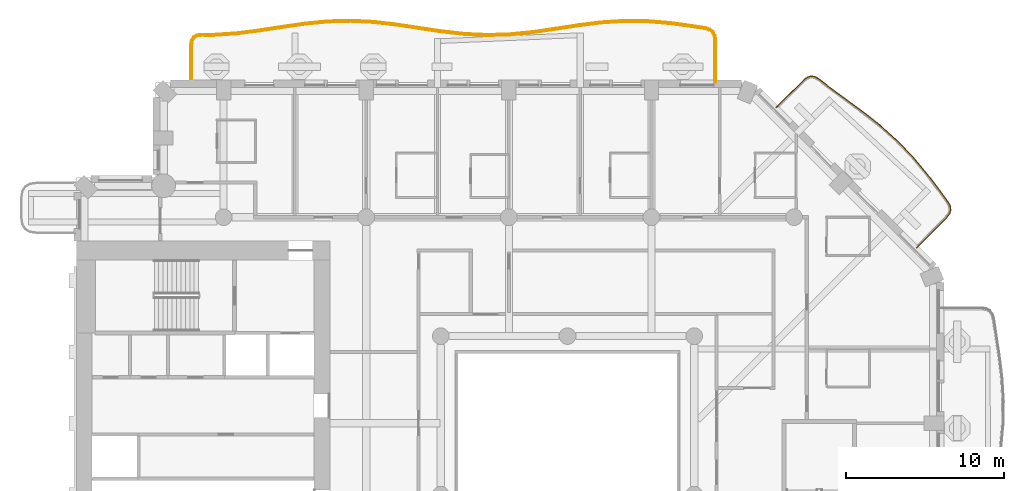
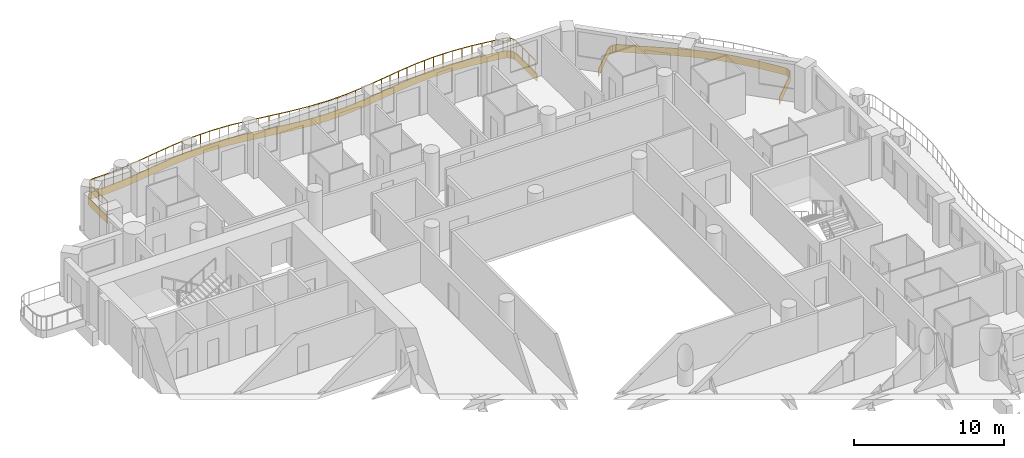
# One storey, part 18 of 20: 2 coverings, 1 railing.
"""IFC4 building model written with IfcOpenShell, lengths in metres."""

from ifc_helpers import new_model, si_unit, direction, frame, origin, origin_2d, place, context, subcontext, project, spatial, polyline, rectangle, outline, extrude, material, layer, layer_set, type_object, element, save


model = new_model("IFC4")

# Units and contexts
model_context = context("Model", 3, precision=1e-05, world=origin(), true_north=direction((0.0, 1.0)))
body_context = subcontext(model_context, "Body", "Model", "MODEL_VIEW")
ifc_project = project(units=[si_unit("LENGTHUNIT", "METRE"), si_unit("AREAUNIT", "SQUARE_METRE"), si_unit("VOLUMEUNIT", "CUBIC_METRE"), si_unit("PLANEANGLEUNIT", "RADIAN"), si_unit("MASSUNIT", "GRAM", prefix="KILO")], contexts=[model_context])

# Site, building, storey
site_placement = place(None, origin())
site = spatial("IfcSite", under=ifc_project, at=site_placement, CompositionType="ELEMENT")
building_placement = place(site_placement, origin())
building = spatial("IfcBuilding", under=site, at=building_placement, Name="Cypress Arch Tower", CompositionType="ELEMENT")
storey_placement = place(building_placement, frame((0.0, 0.0, 113.10009765625)))
storey = spatial("IfcBuildingStorey", under=building, at=storey_placement, Name="L23", CompositionType="ELEMENT", Elevation=113.10009765625)

# Coverings
ifc_material_1 = material(Name="White powder-coated aluminium fascia", Category="aluminium")
ifc_layer = layer(ifc_material_1, 0.050048828125)
ifc_layer_set = layer_set([ifc_layer], Name="Balcony fascia BF50")
covering_type = type_object("IfcCoveringType", Name="Balcony fascia BF50", PredefinedType="CLADDING", material=ifc_layer_set)
covering_1_placement = place(storey_placement, frame((0.0, 0.0, -0.60009765625)))
element("IfcCovering", 1, at=covering_1_placement, inside=storey, type_object=covering_type, Name="Balcony fascia L23-A07", PredefinedType="CLADDING", context=body_context, shape_type="SweptSolid", body=[
    extrude(outline(polyline([(15.894775390625, 26.18359375), (16.130126953125, 26.361328125), (16.381103515625, 26.4326171875), (16.638427734375, 26.39111328125), (16.89306640625, 26.242431640625), (17.49755859375, 25.765625), (18.62548828125, 24.934814453125), (19.753173828125, 24.101806640625), (20.84716796875, 23.232666015625), (21.880859375, 22.302001953125), (22.841796875, 21.298583984375), (23.734375, 20.2275390625), (24.578857421875, 19.110107421875), (25.0361328125, 18.484375), (25.17724609375, 18.222412109375), (25.21240234375, 17.9599609375), (25.13720703125, 17.7060546875), (24.957763671875, 17.468994140625), (23.045166015625, 15.556396484375), (23.009765625, 15.591796875), (24.919921875, 17.501953125), (25.091796875, 17.72900390625), (25.16162109375, 17.9638671875), (25.12890625, 18.206787109375), (24.993896484375, 18.45751953125), (24.538818359375, 19.080322265625), (23.6953125, 20.1962890625), (22.804443359375, 21.26513671875), (21.845947265625, 22.26611328125), (20.814697265625, 23.194580078125), (19.722900390625, 24.06201171875), (18.595703125, 24.89453125), (17.46728515625, 25.725830078125), (16.86474609375, 26.200927734375), (16.621337890625, 26.34326171875), (16.384033203125, 26.381591796875), (16.15283203125, 26.315673828125), (15.927734375, 26.145751953125), (14.191650390625, 24.40966796875), (14.15625, 24.445068359375), (15.894775390625, 26.18359375)])), origin(), (0.0, 0.0, 1.0), 0.60009765625),
])
covering_2_placement = place(storey_placement, frame((0.0, 0.0, -0.60009765625)))
element("IfcCovering", 2, at=covering_2_placement, inside=storey, type_object=covering_type, Name="Balcony fascia L23-A08", PredefinedType="CLADDING", context=body_context, shape_type="SweptSolid", body=[
    extrude(outline(polyline([(-22.800048828125, 28.37548828125), (-22.757568359375, 28.672119140625), (-22.62451171875, 28.893310546875), (-22.402587890625, 29.02490234375), (-22.105712890625, 29.065185546875), (-21.3125, 29.0595703125), (-19.876708984375, 29.157958984375), (-18.439697265625, 29.3408203125), (-17.000732421875, 29.56298828125), (-15.560302734375, 29.77001953125), (-14.118408203125, 29.91015625), (-12.675537109375, 29.94873046875), (-11.23291015625, 29.876220703125), (-9.791259765625, 29.71044921875), (-8.351318359375, 29.492919921875), (-6.9130859375, 29.27734375), (-5.4765625, 29.11669921875), (-4.041015625, 29.050537109375), (-2.60546875, 29.09521484375), (-1.169189453125, 29.23974609375), (0.268798828125, 29.44873046875), (1.708251953125, 29.67041015625), (3.149658203125, 29.849853515625), (4.592041015625, 29.943115234375), (6.034912109375, 29.92626953125), (7.477294921875, 29.80419921875), (8.918212890625, 29.606689453125), (9.71337890625, 29.483154296875), (10.0087890625, 29.39453125), (10.22705078125, 29.22802734375), (10.35791015625, 28.987060546875), (10.39990234375, 28.681640625), (10.39990234375, 26.0009765625), (10.35009765625, 26.0009765625), (10.35009765625, 28.67822265625), (10.3095703125, 28.97119140625), (10.18798828125, 29.19482421875), (9.98583984375, 29.34912109375), (9.702392578125, 29.43408203125), (8.910888671875, 29.55712890625), (7.4716796875, 29.75439453125), (6.03271484375, 29.87646484375), (4.593505859375, 29.89306640625), (3.154296875, 29.800048828125), (1.71533203125, 29.620849609375), (0.276123046875, 29.399169921875), (-1.1630859375, 29.190185546875), (-2.602294921875, 29.04541015625), (-4.041259765625, 29.00048828125), (-5.48046875, 29.066650390625), (-6.919677734375, 29.227783203125), (-8.358642578125, 29.443603515625), (-9.7978515625, 29.660888671875), (-11.237060546875, 29.826171875), (-12.676025390625, 29.898681640625), (-14.115234375, 29.860107421875), (-15.554443359375, 29.72021484375), (-16.993408203125, 29.513671875), (-18.4326171875, 29.291259765625), (-19.871826171875, 29.108154296875), (-21.310791015625, 29.009521484375), (-22.102294921875, 29.01513671875), (-22.3857421875, 28.9765625), (-22.588134765625, 28.856689453125), (-22.70947265625, 28.655029296875), (-22.75, 28.3720703125), (-22.75, 26.0009765625), (-22.800048828125, 26.0009765625), (-22.800048828125, 28.37548828125)])), origin(), (0.0, 0.0, 1.0), 0.60009765625),
])

# Railing
ifc_material_2 = material(Name="Powder-coated steel posts and rods, 100 mm clear between rods", Category="steel")
railing_type = type_object("IfcRailingType", Name="Balcony guard GR1100", PredefinedType="GUARDRAIL", material=ifc_material_2)
railing_placement = place(storey_placement, frame((-22.699951171875, 26.14990234375, 0.0)))
element("IfcRailing", 3, at=railing_placement, inside=storey, type_object=railing_type, Name="Balcony guard L23-A08", PredefinedType="GUARDRAIL", context=body_context, shape_type="SweptSolid", body=[
    extrude(rectangle(XDim=0.050048828125, YDim=0.050048828125, at=origin_2d()), frame((0.0, 0.0, 1.0751953125), z_axis=(0.0, 1.0, 0.0), x_axis=(-1.0, 0.0, 0.0)), (0.0, 0.0, 1.0), 2.218505859375),
    extrude(rectangle(XDim=0.050048828125, YDim=0.050048828125, at=origin_2d()), frame((0.0, 2.218505859375, 1.0751953125), z_axis=(0.141672416732, 0.98991359539, 0.0), x_axis=(-0.98991359539, 0.141672416732, 0.0)), (0.0, 0.0, 1.0), 0.272216796875),
    extrude(rectangle(XDim=0.050048828125, YDim=0.050048828125, at=origin_2d()), frame((0.03857421875, 2.488037109375, 1.0751953125), z_axis=(0.515677548215, 0.856782741578, 0.0), x_axis=(-0.856782741578, 0.515677548215, 0.0)), (0.0, 0.0, 1.0), 0.212646484375),
    extrude(rectangle(XDim=0.050048828125, YDim=0.050048828125, at=origin_2d()), frame((0.148193359375, 2.670166015625, 1.0751953125), z_axis=(0.8602169019, 0.509928310339, 0.0), x_axis=(-0.509928310339, 0.8602169019, 0.0)), (0.0, 0.0, 1.0), 0.212646484375),
    extrude(rectangle(XDim=0.050048828125, YDim=0.050048828125, at=origin_2d()), frame((0.3310546875, 2.778564453125, 1.0751953125), z_axis=(0.990911839924, 0.134512919447, 0.0), x_axis=(-0.134512919447, 0.990911839924, 0.0)), (0.0, 0.0, 1.0), 0.272216796875),
    extrude(rectangle(XDim=0.050048828125, YDim=0.050048828125, at=origin_2d()), frame((0.600830078125, 2.815185546875, 1.0751953125), z_axis=(0.999974726776, -0.007109557563, 0.0), x_axis=(0.007109557563, 0.999974726776, 0.0)), (0.0, 0.0, 1.0), 0.789794921875),
    extrude(rectangle(XDim=0.050048828125, YDim=0.050048828125, at=origin_2d()), frame((1.390625, 2.8095703125, 1.0751953125), z_axis=(0.997658621, 0.068390612983, 0.0), x_axis=(-0.068390612983, 0.997658621, 0.0)), (0.0, 0.0, 1.0), 1.44580078125),
    extrude(rectangle(XDim=0.050048828125, YDim=0.050048828125, at=origin_2d()), frame((2.8330078125, 2.908447265625, 1.0751953125), z_axis=(0.992006709468, 0.1261851353, 0.0), x_axis=(-0.1261851353, 0.992006709468, 0.0)), (0.0, 0.0, 1.0), 1.453125),
    extrude(rectangle(XDim=0.050048828125, YDim=0.050048828125, at=origin_2d()), frame((4.2744140625, 3.091796875, 1.0751953125), z_axis=(0.988272662411, 0.152699524331, 0.0), x_axis=(-0.152699524331, 0.988272662411, 0.0)), (0.0, 0.0, 1.0), 1.45654296875),
    extrude(rectangle(XDim=0.050048828125, YDim=0.050048828125, at=origin_2d()), frame((5.7138671875, 3.314208984375, 1.0751953125), z_axis=(0.989838254596, 0.142197854201, 0.0), x_axis=(-0.142197854201, 0.989838254596, 0.0)), (0.0, 0.0, 1.0), 1.452392578125),
    extrude(rectangle(XDim=0.050048828125, YDim=0.050048828125, at=origin_2d()), frame((7.151611328125, 3.520751953125, 1.0751953125), z_axis=(0.99530648281, 0.096772957363, 0.0), x_axis=(-0.096772957363, 0.99530648281, 0.0)), (0.0, 0.0, 1.0), 1.443115234375),
    extrude(rectangle(XDim=0.050048828125, YDim=0.050048828125, at=origin_2d()), frame((8.587890625, 3.660400390625, 1.0751953125), z_axis=(0.999643606175, 0.0266957044, 0.0), x_axis=(-0.0266957044, 0.999643606175, 0.0)), (0.0, 0.0, 1.0), 1.435791015625),
    extrude(rectangle(XDim=0.050048828125, YDim=0.050048828125, at=origin_2d()), frame((10.023193359375, 3.69873046875, 1.0751953125), z_axis=(0.998735767688, -0.050267945458, 0.0), x_axis=(0.050267945458, 0.998735767688, 0.0)), (0.0, 0.0, 1.0), 1.4375),
    extrude(rectangle(XDim=0.050048828125, YDim=0.050048828125, at=origin_2d()), frame((11.458984375, 3.62646484375, 1.0751953125), z_axis=(0.993465014905, -0.114137041141, 0.0), x_axis=(0.114137041141, 0.993465014905, 0.0)), (0.0, 0.0, 1.0), 1.446044921875),
    extrude(rectangle(XDim=0.050048828125, YDim=0.050048828125, at=origin_2d()), frame((12.8955078125, 3.46142578125, 1.0751953125), z_axis=(0.988779448417, -0.149382737921, 0.0), x_axis=(0.149382737921, 0.988779448417, 0.0)), (0.0, 0.0, 1.0), 1.45458984375),
    extrude(rectangle(XDim=0.050048828125, YDim=0.050048828125, at=origin_2d()), frame((14.333740234375, 3.244140625, 1.0751953125), z_axis=(0.988932663572, -0.148365046154, 0.0), x_axis=(0.148365046154, 0.988932663572, 0.0)), (0.0, 0.0, 1.0), 1.456298828125),
    extrude(rectangle(XDim=0.050048828125, YDim=0.050048828125, at=origin_2d()), frame((15.77392578125, 3.028076171875, 1.0751953125), z_axis=(0.993811689015, -0.111078021126, 0.0), x_axis=(0.111078021126, 0.993811689015, 0.0)), (0.0, 0.0, 1.0), 1.45068359375),
    extrude(rectangle(XDim=0.050048828125, YDim=0.050048828125, at=origin_2d()), frame((17.215576171875, 2.866943359375, 1.0751953125), z_axis=(0.998942232223, -0.045982786794, 0.0), x_axis=(0.045982786794, 0.998942232223, 0.0)), (0.0, 0.0, 1.0), 1.444091796875),
    extrude(rectangle(XDim=0.050048828125, YDim=0.050048828125, at=origin_2d()), frame((18.658203125, 2.800537109375, 1.0751953125), z_axis=(0.99951569929, 0.031118593683, 0.0), x_axis=(-0.031118593683, 0.99951569929, 0.0)), (0.0, 0.0, 1.0), 1.443603515625),
    extrude(rectangle(XDim=0.050048828125, YDim=0.050048828125, at=origin_2d()), frame((20.10107421875, 2.845458984375, 1.0751953125), z_axis=(0.994963528178, 0.1002376057, 0.0), x_axis=(-0.1002376057, 0.994963528178, 0.0)), (0.0, 0.0, 1.0), 1.44921875),
    extrude(rectangle(XDim=0.050048828125, YDim=0.050048828125, at=origin_2d()), frame((21.54296875, 2.99072265625, 1.0751953125), z_axis=(0.989614656009, 0.143745722068, 0.0), x_axis=(-0.143745722068, 0.989614656009, 0.0)), (0.0, 0.0, 1.0), 1.45556640625),
    extrude(rectangle(XDim=0.050048828125, YDim=0.050048828125, at=origin_2d()), frame((22.9833984375, 3.199951171875, 1.0751953125), z_axis=(0.988362000961, 0.152120199367, 0.0), x_axis=(-0.152120199367, 0.988362000961, 0.0)), (0.0, 0.0, 1.0), 1.45556640625),
    extrude(rectangle(XDim=0.050048828125, YDim=0.050048828125, at=origin_2d()), frame((24.422119140625, 3.42138671875, 1.0751953125), z_axis=(0.992332258431, 0.123598903217, 0.0), x_axis=(-0.123598903217, 0.992332258431, 0.0)), (0.0, 0.0, 1.0), 1.44775390625),
    extrude(rectangle(XDim=0.050048828125, YDim=0.050048828125, at=origin_2d()), frame((25.85888671875, 3.600341796875, 1.0751953125), z_axis=(0.997918973918, 0.064480396206, 0.0), x_axis=(-0.064480396206, 0.997918973918, 0.0)), (0.0, 0.0, 1.0), 1.438720703125),
    extrude(rectangle(XDim=0.050048828125, YDim=0.050048828125, at=origin_2d()), frame((27.294677734375, 3.693115234375, 1.0751953125), z_axis=(0.999933136421, -0.011563852598, 0.0), x_axis=(0.011563852598, 0.999933136421, 0.0)), (0.0, 0.0, 1.0), 1.435546875),
    extrude(rectangle(XDim=0.050048828125, YDim=0.050048828125, at=origin_2d()), frame((28.730224609375, 3.676513671875, 1.0751953125), z_axis=(0.996420811741, -0.084531449347, 0.0), x_axis=(0.084531449347, 0.996420811741, 0.0)), (0.0, 0.0, 1.0), 1.441162109375),
    extrude(rectangle(XDim=0.050048828125, YDim=0.050048828125, at=origin_2d()), frame((30.166259765625, 3.5546875, 1.0751953125), z_axis=(0.990757312592, -0.13564640631, 0.0), x_axis=(0.13564640631, 0.990757312592, 0.0)), (0.0, 0.0, 1.0), 1.45068359375),
    extrude(rectangle(XDim=0.050048828125, YDim=0.050048828125, at=origin_2d()), frame((31.603515625, 3.35791015625, 1.0751953125), z_axis=(0.988115435462, -0.153713650016, 0.0), x_axis=(0.153713650016, 0.988115435462, 0.0)), (0.0, 0.0, 1.0), 0.79736328125),
    extrude(rectangle(XDim=0.050048828125, YDim=0.050048828125, at=origin_2d()), frame((32.391357421875, 3.2353515625, 1.0751953125), z_axis=(0.957897446149, -0.287110575669, 0.0), x_axis=(0.287110575669, 0.957897446149, 0.0)), (0.0, 0.0, 1.0), 0.283203125),
    extrude(rectangle(XDim=0.050048828125, YDim=0.050048828125, at=origin_2d()), frame((32.66259765625, 3.154052734375, 1.0751953125), z_axis=(0.794977657417, -0.606638709783, 0.0), x_axis=(0.606638709783, 0.794977657417, 0.0)), (0.0, 0.0, 1.0), 0.234619140625),
    extrude(rectangle(XDim=0.050048828125, YDim=0.050048828125, at=origin_2d()), frame((32.84912109375, 3.01171875, 1.0751953125), z_axis=(0.477321336247, -0.87872882163, 0.0), x_axis=(0.87872882163, 0.477321336247, 0.0)), (0.0, 0.0, 1.0), 0.23486328125),
    extrude(rectangle(XDim=0.050048828125, YDim=0.050048828125, at=origin_2d()), frame((32.961181640625, 2.805419921875, 1.0751953125), z_axis=(0.137074975922, -0.99056067506, 0.0), x_axis=(0.99056067506, 0.137074975922, 0.0)), (0.0, 0.0, 1.0), 0.283203125),
    extrude(rectangle(XDim=0.050048828125, YDim=0.050048828125, at=origin_2d()), frame((33.0, 2.52490234375, 1.0751953125), z_axis=(0.0, -1.0, 0.0), x_axis=(1.0, 0.0, 0.0)), (0.0, 0.0, 1.0), 2.52490234375),
    extrude(rectangle(XDim=0.0400390625, YDim=0.0400390625, at=origin_2d()), origin(), (0.0, 0.0, 1.0), 1.050048828125),
    extrude(rectangle(XDim=0.0400390625, YDim=0.0400390625, at=origin_2d()), frame((0.0, 1.109375, 0.0)), (0.0, 0.0, 1.0), 1.050048828125),
    extrude(rectangle(XDim=0.0400390625, YDim=0.0400390625, at=origin_2d()), frame((0.0, 2.218505859375, 0.0)), (0.0, 0.0, 1.0), 1.050048828125),
    extrude(rectangle(XDim=0.0400390625, YDim=0.0400390625, at=origin_2d()), frame((0.03857421875, 2.488037109375, 0.0)), (0.0, 0.0, 1.0), 1.050048828125),
    extrude(rectangle(XDim=0.0400390625, YDim=0.0400390625, at=origin_2d()), frame((0.148193359375, 2.670166015625, 0.0)), (0.0, 0.0, 1.0), 1.050048828125),
    extrude(rectangle(XDim=0.0400390625, YDim=0.0400390625, at=origin_2d()), frame((0.3310546875, 2.778564453125, 0.0)), (0.0, 0.0, 1.0), 1.050048828125),
    extrude(rectangle(XDim=0.0400390625, YDim=0.0400390625, at=origin_2d()), frame((0.600830078125, 2.815185546875, 0.0)), (0.0, 0.0, 1.0), 1.050048828125),
    extrude(rectangle(XDim=0.0400390625, YDim=0.0400390625, at=origin_2d()), frame((1.390625, 2.8095703125, 0.0)), (0.0, 0.0, 1.0), 1.050048828125),
    extrude(rectangle(XDim=0.0400390625, YDim=0.0400390625, at=origin_2d()), frame((2.11181640625, 2.85888671875, 0.0)), (0.0, 0.0, 1.0), 1.050048828125),
    extrude(rectangle(XDim=0.0400390625, YDim=0.0400390625, at=origin_2d()), frame((2.8330078125, 2.908447265625, 0.0)), (0.0, 0.0, 1.0), 1.050048828125),
    extrude(rectangle(XDim=0.0400390625, YDim=0.0400390625, at=origin_2d()), frame((3.5537109375, 3.0, 0.0)), (0.0, 0.0, 1.0), 1.050048828125),
    extrude(rectangle(XDim=0.0400390625, YDim=0.0400390625, at=origin_2d()), frame((4.2744140625, 3.091796875, 0.0)), (0.0, 0.0, 1.0), 1.050048828125),
    extrude(rectangle(XDim=0.0400390625, YDim=0.0400390625, at=origin_2d()), frame((4.994140625, 3.203125, 0.0)), (0.0, 0.0, 1.0), 1.050048828125),
    extrude(rectangle(XDim=0.0400390625, YDim=0.0400390625, at=origin_2d()), frame((5.7138671875, 3.314208984375, 0.0)), (0.0, 0.0, 1.0), 1.050048828125),
    extrude(rectangle(XDim=0.0400390625, YDim=0.0400390625, at=origin_2d()), frame((6.4326171875, 3.41748046875, 0.0)), (0.0, 0.0, 1.0), 1.050048828125),
    extrude(rectangle(XDim=0.0400390625, YDim=0.0400390625, at=origin_2d()), frame((7.151611328125, 3.520751953125, 0.0)), (0.0, 0.0, 1.0), 1.050048828125),
    extrude(rectangle(XDim=0.0400390625, YDim=0.0400390625, at=origin_2d()), frame((7.86962890625, 3.590576171875, 0.0)), (0.0, 0.0, 1.0), 1.050048828125),
    extrude(rectangle(XDim=0.0400390625, YDim=0.0400390625, at=origin_2d()), frame((8.587890625, 3.660400390625, 0.0)), (0.0, 0.0, 1.0), 1.050048828125),
    extrude(rectangle(XDim=0.0400390625, YDim=0.0400390625, at=origin_2d()), frame((9.3056640625, 3.6796875, 0.0)), (0.0, 0.0, 1.0), 1.050048828125),
    extrude(rectangle(XDim=0.0400390625, YDim=0.0400390625, at=origin_2d()), frame((10.023193359375, 3.69873046875, 0.0)), (0.0, 0.0, 1.0), 1.050048828125),
    extrude(rectangle(XDim=0.0400390625, YDim=0.0400390625, at=origin_2d()), frame((10.7412109375, 3.66259765625, 0.0)), (0.0, 0.0, 1.0), 1.050048828125),
    extrude(rectangle(XDim=0.0400390625, YDim=0.0400390625, at=origin_2d()), frame((11.458984375, 3.62646484375, 0.0)), (0.0, 0.0, 1.0), 1.050048828125),
    extrude(rectangle(XDim=0.0400390625, YDim=0.0400390625, at=origin_2d()), frame((12.17724609375, 3.5439453125, 0.0)), (0.0, 0.0, 1.0), 1.050048828125),
    extrude(rectangle(XDim=0.0400390625, YDim=0.0400390625, at=origin_2d()), frame((12.8955078125, 3.46142578125, 0.0)), (0.0, 0.0, 1.0), 1.050048828125),
    extrude(rectangle(XDim=0.0400390625, YDim=0.0400390625, at=origin_2d()), frame((13.61474609375, 3.352783203125, 0.0)), (0.0, 0.0, 1.0), 1.050048828125),
    extrude(rectangle(XDim=0.0400390625, YDim=0.0400390625, at=origin_2d()), frame((14.333740234375, 3.244140625, 0.0)), (0.0, 0.0, 1.0), 1.050048828125),
    extrude(rectangle(XDim=0.0400390625, YDim=0.0400390625, at=origin_2d()), frame((15.0537109375, 3.13623046875, 0.0)), (0.0, 0.0, 1.0), 1.050048828125),
    extrude(rectangle(XDim=0.0400390625, YDim=0.0400390625, at=origin_2d()), frame((15.77392578125, 3.028076171875, 0.0)), (0.0, 0.0, 1.0), 1.050048828125),
    extrude(rectangle(XDim=0.0400390625, YDim=0.0400390625, at=origin_2d()), frame((16.49462890625, 2.947509765625, 0.0)), (0.0, 0.0, 1.0), 1.050048828125),
    extrude(rectangle(XDim=0.0400390625, YDim=0.0400390625, at=origin_2d()), frame((17.215576171875, 2.866943359375, 0.0)), (0.0, 0.0, 1.0), 1.050048828125),
    extrude(rectangle(XDim=0.0400390625, YDim=0.0400390625, at=origin_2d()), frame((17.93701171875, 2.833740234375, 0.0)), (0.0, 0.0, 1.0), 1.050048828125),
    extrude(rectangle(XDim=0.0400390625, YDim=0.0400390625, at=origin_2d()), frame((18.658203125, 2.800537109375, 0.0)), (0.0, 0.0, 1.0), 1.050048828125),
    extrude(rectangle(XDim=0.0400390625, YDim=0.0400390625, at=origin_2d()), frame((19.379638671875, 2.822998046875, 0.0)), (0.0, 0.0, 1.0), 1.050048828125),
    extrude(rectangle(XDim=0.0400390625, YDim=0.0400390625, at=origin_2d()), frame((20.10107421875, 2.845458984375, 0.0)), (0.0, 0.0, 1.0), 1.050048828125),
    extrude(rectangle(XDim=0.0400390625, YDim=0.0400390625, at=origin_2d()), frame((20.822021484375, 2.91796875, 0.0)), (0.0, 0.0, 1.0), 1.050048828125),
    extrude(rectangle(XDim=0.0400390625, YDim=0.0400390625, at=origin_2d()), frame((21.54296875, 2.99072265625, 0.0)), (0.0, 0.0, 1.0), 1.050048828125),
    extrude(rectangle(XDim=0.0400390625, YDim=0.0400390625, at=origin_2d()), frame((22.26318359375, 3.09521484375, 0.0)), (0.0, 0.0, 1.0), 1.050048828125),
    extrude(rectangle(XDim=0.0400390625, YDim=0.0400390625, at=origin_2d()), frame((22.9833984375, 3.199951171875, 0.0)), (0.0, 0.0, 1.0), 1.050048828125),
    extrude(rectangle(XDim=0.0400390625, YDim=0.0400390625, at=origin_2d()), frame((23.70263671875, 3.310546875, 0.0)), (0.0, 0.0, 1.0), 1.050048828125),
    extrude(rectangle(XDim=0.0400390625, YDim=0.0400390625, at=origin_2d()), frame((24.422119140625, 3.42138671875, 0.0)), (0.0, 0.0, 1.0), 1.050048828125),
    extrude(rectangle(XDim=0.0400390625, YDim=0.0400390625, at=origin_2d()), frame((25.140625, 3.5107421875, 0.0)), (0.0, 0.0, 1.0), 1.050048828125),
    extrude(rectangle(XDim=0.0400390625, YDim=0.0400390625, at=origin_2d()), frame((25.85888671875, 3.600341796875, 0.0)), (0.0, 0.0, 1.0), 1.050048828125),
    extrude(rectangle(XDim=0.0400390625, YDim=0.0400390625, at=origin_2d()), frame((26.57666015625, 3.646728515625, 0.0)), (0.0, 0.0, 1.0), 1.050048828125),
    extrude(rectangle(XDim=0.0400390625, YDim=0.0400390625, at=origin_2d()), frame((27.294677734375, 3.693115234375, 0.0)), (0.0, 0.0, 1.0), 1.050048828125),
    extrude(rectangle(XDim=0.0400390625, YDim=0.0400390625, at=origin_2d()), frame((28.012451171875, 3.684814453125, 0.0)), (0.0, 0.0, 1.0), 1.050048828125),
    extrude(rectangle(XDim=0.0400390625, YDim=0.0400390625, at=origin_2d()), frame((28.730224609375, 3.676513671875, 0.0)), (0.0, 0.0, 1.0), 1.050048828125),
    extrude(rectangle(XDim=0.0400390625, YDim=0.0400390625, at=origin_2d()), frame((29.4482421875, 3.61572265625, 0.0)), (0.0, 0.0, 1.0), 1.050048828125),
    extrude(rectangle(XDim=0.0400390625, YDim=0.0400390625, at=origin_2d()), frame((30.166259765625, 3.5546875, 0.0)), (0.0, 0.0, 1.0), 1.050048828125),
    extrude(rectangle(XDim=0.0400390625, YDim=0.0400390625, at=origin_2d()), frame((30.884765625, 3.456298828125, 0.0)), (0.0, 0.0, 1.0), 1.050048828125),
    extrude(rectangle(XDim=0.0400390625, YDim=0.0400390625, at=origin_2d()), frame((31.603515625, 3.35791015625, 0.0)), (0.0, 0.0, 1.0), 1.050048828125),
    extrude(rectangle(XDim=0.0400390625, YDim=0.0400390625, at=origin_2d()), frame((32.391357421875, 3.2353515625, 0.0)), (0.0, 0.0, 1.0), 1.050048828125),
    extrude(rectangle(XDim=0.0400390625, YDim=0.0400390625, at=origin_2d()), frame((32.66259765625, 3.154052734375, 0.0)), (0.0, 0.0, 1.0), 1.050048828125),
    extrude(rectangle(XDim=0.0400390625, YDim=0.0400390625, at=origin_2d()), frame((32.84912109375, 3.01171875, 0.0)), (0.0, 0.0, 1.0), 1.050048828125),
    extrude(rectangle(XDim=0.0400390625, YDim=0.0400390625, at=origin_2d()), frame((32.961181640625, 2.805419921875, 0.0)), (0.0, 0.0, 1.0), 1.050048828125),
    extrude(rectangle(XDim=0.0400390625, YDim=0.0400390625, at=origin_2d()), frame((33.0, 2.52490234375, 0.0)), (0.0, 0.0, 1.0), 1.050048828125),
    extrude(rectangle(XDim=0.0400390625, YDim=0.0400390625, at=origin_2d()), frame((33.0, 1.683349609375, 0.0)), (0.0, 0.0, 1.0), 1.050048828125),
    extrude(rectangle(XDim=0.0400390625, YDim=0.0400390625, at=origin_2d()), frame((33.0, 0.841552734375, 0.0)), (0.0, 0.0, 1.0), 1.050048828125),
    extrude(rectangle(XDim=0.0400390625, YDim=0.0400390625, at=origin_2d()), frame((33.0, 0.0, 0.0)), (0.0, 0.0, 1.0), 1.050048828125),
])

save(model, "model.ifc")
